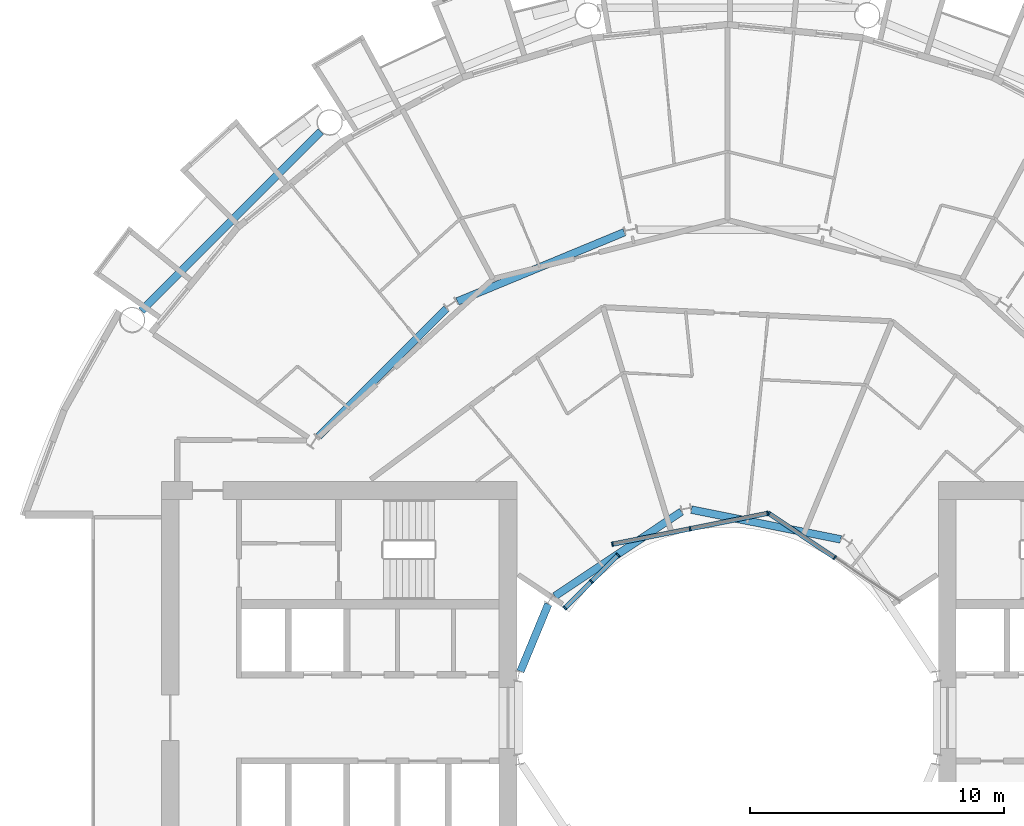
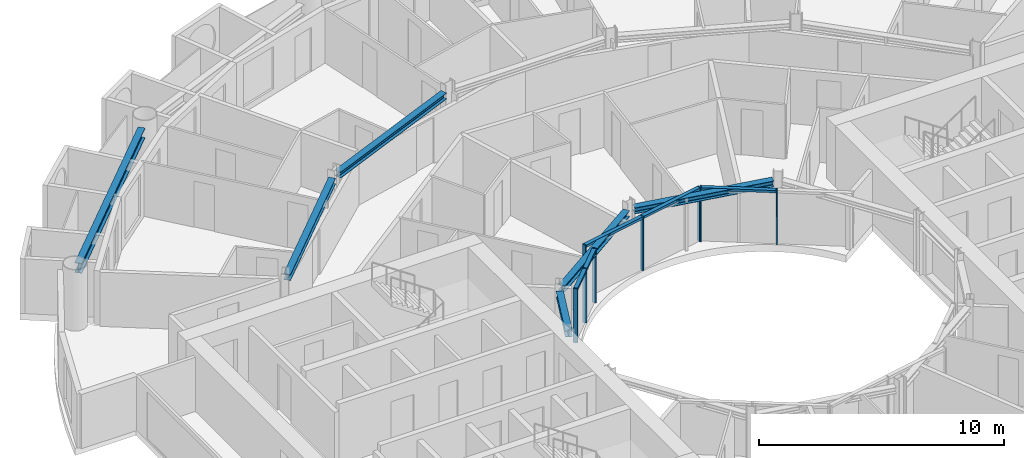
# One storey, part 7 of 26: 13 members, 6 beams, 3 elements without a shape of their own.
"""IFC4 building model written with IfcOpenShell, lengths in metres."""

from ifc_helpers import new_model, si_unit, direction, frame, origin, origin_2d, place, context, subcontext, project, spatial, rectangle, i_section, extrude, material, layer, layer_set, material_profile, profile_set, type_object, element, aggregate, save


model = new_model("IFC4")

# Units and contexts
model_context = context("Model", 3, precision=1e-05, world=origin(), true_north=direction((0.0, 1.0)))
body_context = subcontext(model_context, "Body", "Model", "MODEL_VIEW")
ifc_project = project(units=[si_unit("LENGTHUNIT", "METRE"), si_unit("AREAUNIT", "SQUARE_METRE"), si_unit("VOLUMEUNIT", "CUBIC_METRE"), si_unit("PLANEANGLEUNIT", "RADIAN"), si_unit("MASSUNIT", "GRAM", prefix="KILO")], contexts=[model_context])

# Site, building, storey
site_placement = place(None, origin())
site = spatial("IfcSite", under=ifc_project, at=site_placement, CompositionType="ELEMENT")
building_placement = place(site_placement, origin())
building = spatial("IfcBuilding", under=site, at=building_placement, Name="Maasbend Ring Residences", CompositionType="ELEMENT")
storey_placement = place(building_placement, frame((0.0, 0.0, 84.949951171875)))
storey = spatial("IfcBuildingStorey", under=building, at=storey_placement, Name="L24", CompositionType="ELEMENT", Elevation=84.949951171875)

# Curtain wall, members
ifc_material_1 = material(Name="Aluminium and clear glass", Category="aluminium")
ifc_layer = layer(ifc_material_1, 0.179931640625)
ifc_layer_set = layer_set([ifc_layer], Name="CW-W")
curtain_wall_type = type_object("IfcCurtainWallType", Name="CW-W", PredefinedType="NOTDEFINED", material=ifc_layer_set)
curtain_wall_1_placement = place(storey_placement, origin())
curtain_wall_1 = element("IfcCurtainWall", 1, at=curtain_wall_1_placement, inside=storey, type_object=curtain_wall_type, Name="Well curtain wall N1", PredefinedType="NOTDEFINED")
ifc_material_2 = material(Name="Aluminium 6063-T6", Category="aluminium")
ifc_material_profile_1 = material_profile(ifc_material_2, rectangle(XDim=0.179931640625, YDim=0.06005859375, at=origin_2d()), Name="AL 180x60")
ifc_profile_set_1 = profile_set([ifc_material_profile_1], Name="Aluminium 6063-T6")
member_type_1 = type_object("IfcMemberType", Name="CWM-W", PredefinedType="MULLION", material=ifc_profile_set_1)
member_1_placement = place(storey_placement, frame((4.216796875, 6.310791015625, 0.0), z_axis=(0.0, 0.0, 1.0), x_axis=(-0.55557023302, -0.831469612303, 0.0)))
member_1 = element("IfcMember", 2, at=member_1_placement, type_object=member_type_1, Name="Mullion well face", PredefinedType="MULLION", context=body_context, shape_type="SweptSolid", body=[
    extrude(rectangle(XDim=0.179931640625, YDim=0.06005859375, at=origin_2d()), origin(), (0.0, 0.0, 1.0), 2.699951171875),
])
member_2_placement = place(storey_placement, frame((1.627685546875, 8.040771484375, 0.0), z_axis=(0.0, 0.0, 1.0), x_axis=(-0.55557023302, -0.831469612303, 0.0)))
member_2 = element("IfcMember", 3, at=member_2_placement, type_object=member_type_1, Name="Mullion well face", PredefinedType="MULLION", context=body_context, shape_type="SweptSolid", body=[
    extrude(rectangle(XDim=0.179931640625, YDim=0.06005859375, at=origin_2d()), origin(), (0.0, 0.0, 1.0), 2.699951171875),
])

curtain_wall_2_placement = place(storey_placement, origin())
curtain_wall_2 = element("IfcCurtainWall", 4, at=curtain_wall_2_placement, inside=storey, type_object=curtain_wall_type, Name="Well curtain wall N2", PredefinedType="NOTDEFINED")
member_3_placement = place(storey_placement, frame((1.5732421875, 8.0517578125, 0.0), z_axis=(0.0, 0.0, 1.0), x_axis=(0.195090322016, -0.980785280403, 0.0)))
member_3 = element("IfcMember", 5, at=member_3_placement, type_object=member_type_1, Name="Mullion well face", PredefinedType="MULLION", context=body_context, shape_type="SweptSolid", body=[
    extrude(rectangle(XDim=0.179931640625, YDim=0.06005859375, at=origin_2d()), origin(), (0.0, 0.0, 1.0), 2.699951171875),
])
member_4_placement = place(storey_placement, frame((-1.480712890625, 7.444091796875, 0.0), z_axis=(0.0, 0.0, 1.0), x_axis=(0.195090322016, -0.980785280403, 0.0)))
member_4 = element("IfcMember", 6, at=member_4_placement, type_object=member_type_1, Name="Mullion well face", PredefinedType="MULLION", context=body_context, shape_type="SweptSolid", body=[
    extrude(rectangle(XDim=0.179931640625, YDim=0.06005859375, at=origin_2d()), origin(), (0.0, 0.0, 1.0), 2.699951171875),
])
member_5_placement = place(storey_placement, frame((-4.53466796875, 6.836669921875, 0.0), z_axis=(0.0, 0.0, 1.0), x_axis=(0.195090322016, -0.980785280403, 0.0)))
member_5 = element("IfcMember", 7, at=member_5_placement, type_object=member_type_1, Name="Mullion well face", PredefinedType="MULLION", context=body_context, shape_type="SweptSolid", body=[
    extrude(rectangle(XDim=0.179931640625, YDim=0.06005859375, at=origin_2d()), origin(), (0.0, 0.0, 1.0), 2.699951171875),
])

curtain_wall_3_placement = place(storey_placement, origin())
curtain_wall_3 = element("IfcCurtainWall", 8, at=curtain_wall_3_placement, inside=storey, type_object=curtain_wall_type, Name="Well curtain wall N3", PredefinedType="NOTDEFINED")
member_6_placement = place(storey_placement, frame((-4.320556640625, 6.413330078125, 0.0), z_axis=(0.0, 0.0, 1.0), x_axis=(0.707106781187, -0.707106781187, 0.0)))
member_6 = element("IfcMember", 9, at=member_6_placement, type_object=member_type_1, Name="Mullion well face", PredefinedType="MULLION", context=body_context, shape_type="SweptSolid", body=[
    extrude(rectangle(XDim=0.179931640625, YDim=0.06005859375, at=origin_2d()), origin(), (0.0, 0.0, 1.0), 2.699951171875),
])
member_7_placement = place(storey_placement, frame((-5.366943359375, 5.366943359375, 0.0), z_axis=(0.0, 0.0, 1.0), x_axis=(0.707106781187, -0.707106781187, 0.0)))
member_7 = element("IfcMember", 10, at=member_7_placement, type_object=member_type_1, Name="Mullion well face", PredefinedType="MULLION", context=body_context, shape_type="SweptSolid", body=[
    extrude(rectangle(XDim=0.179931640625, YDim=0.06005859375, at=origin_2d()), origin(), (0.0, 0.0, 1.0), 2.699951171875),
])
member_8_placement = place(storey_placement, frame((-6.413330078125, 4.320556640625, 0.0), z_axis=(0.0, 0.0, 1.0), x_axis=(0.707106781187, -0.707106781187, 0.0)))
member_8 = element("IfcMember", 11, at=member_8_placement, type_object=member_type_1, Name="Mullion well face", PredefinedType="MULLION", context=body_context, shape_type="SweptSolid", body=[
    extrude(rectangle(XDim=0.179931640625, YDim=0.06005859375, at=origin_2d()), origin(), (0.0, 0.0, 1.0), 2.699951171875),
])

# Member
ifc_material_3 = material(Name="Aluminium 6063-T6", Category="aluminium")
ifc_material_profile_2 = material_profile(ifc_material_3, rectangle(XDim=0.179931640625, YDim=0.1201171875, at=origin_2d()), Name="AL 180x120")
ifc_profile_set_2 = profile_set([ifc_material_profile_2], Name="Aluminium 6063-T6")
member_type_2 = type_object("IfcMemberType", Name="CWT-W", PredefinedType="USERDEFINED", material=ifc_profile_set_2)
member_9_placement = place(storey_placement, frame((4.19189453125, 6.32763671875, 2.64013671875), z_axis=(-0.831496422459, 0.555530106689, 0.0), x_axis=(-0.555530106689, -0.831496422459, 0.0)))
member_9 = element("IfcMember", 12, at=member_9_placement, type_object=member_type_2, Name="Transom well face", ObjectType="TRANSOM", PredefinedType="USERDEFINED", context=body_context, shape_type="SweptSolid", body=[
    extrude(rectangle(XDim=0.179931640625, YDim=0.1201171875, at=origin_2d()), origin(), (0.0, 0.0, 1.0), 3.053955078125),
])

aggregate(curtain_wall_1, [member_1, member_2, member_9])

member_10_placement = place(storey_placement, frame((1.5439453125, 8.0458984375, 2.64013671875), z_axis=(-0.980776956105, -0.195132166424, 0.0), x_axis=(0.195132166424, -0.980776956105, 0.0)))
member_10 = element("IfcMember", 13, at=member_10_placement, type_object=member_type_2, Name="Transom well face", ObjectType="TRANSOM", PredefinedType="USERDEFINED", context=body_context, shape_type="SweptSolid", body=[
    extrude(rectangle(XDim=0.179931640625, YDim=0.1201171875, at=origin_2d()), origin(), (0.0, 0.0, 1.0), 3.053955078125),
])

member_11_placement = place(storey_placement, frame((-1.51025390625, 7.438232421875, 2.64013671875), z_axis=(-0.980789210404, -0.19507056353, 0.0), x_axis=(0.19507056353, -0.980789210404, 0.0)))
member_11 = element("IfcMember", 14, at=member_11_placement, type_object=member_type_2, Name="Transom well face", ObjectType="TRANSOM", PredefinedType="USERDEFINED", context=body_context, shape_type="SweptSolid", body=[
    extrude(rectangle(XDim=0.179931640625, YDim=0.1201171875, at=origin_2d()), origin(), (0.0, 0.0, 1.0), 3.0537109375),
])

aggregate(curtain_wall_2, [member_3, member_4, member_5, member_10, member_11])

member_12_placement = place(storey_placement, frame((-4.341796875, 6.39208984375, 2.64013671875), z_axis=(-0.707106781187, -0.707106781187, 0.0), x_axis=(0.707106781187, -0.707106781187, 0.0)))
member_12 = element("IfcMember", 15, at=member_12_placement, type_object=member_type_2, Name="Transom well face", ObjectType="TRANSOM", PredefinedType="USERDEFINED", context=body_context, shape_type="SweptSolid", body=[
    extrude(rectangle(XDim=0.179931640625, YDim=0.1201171875, at=origin_2d()), origin(), (0.0, 0.0, 1.0), 1.419677734375),
])

member_13_placement = place(storey_placement, frame((-5.38818359375, 5.345703125, 2.64013671875), z_axis=(-0.707106781187, -0.707106781187, 0.0), x_axis=(0.707106781187, -0.707106781187, 0.0)))
member_13 = element("IfcMember", 16, at=member_13_placement, type_object=member_type_2, Name="Transom well face", ObjectType="TRANSOM", PredefinedType="USERDEFINED", context=body_context, shape_type="SweptSolid", body=[
    extrude(rectangle(XDim=0.179931640625, YDim=0.1201171875, at=origin_2d()), origin(), (0.0, 0.0, 1.0), 1.419677734375),
])

aggregate(curtain_wall_3, [member_6, member_7, member_8, member_12, member_13])

# Beams
ifc_material_4 = material(Name="Steel S355J2", Category="steel")
ifc_material_profile_3 = material_profile(ifc_material_4, i_section(OverallWidth=0.300048828125, OverallDepth=0.300048828125, WebThickness=0.010986328125, FlangeThickness=0.01904296875, FilletRadius=0.027099609375, at=origin_2d()), Name="HEB 300")
ifc_profile_set_3 = profile_set([ifc_material_profile_3], Name="Steel S355J2")
beam_type_1 = type_object("IfcBeamType", Name="Corridor ring beam HEB 300", PredefinedType="BEAM", material=ifc_profile_set_3)
for number, where, z_axis, x_axis, name in (
    (17, (-4.070556640625, 19.12109375, 2.550048828125), (-0.923877113721, -0.382689271788, 0.0), (0.382689271788, -0.923877113721, 0.0), "Corridor ring beam"),
    (18, (-11.078125, 16.10791015625, 2.550048828125), (-0.707106781187, -0.707106781187, 0.0), (0.707106781187, -0.707106781187, 0.0), "Corridor ring beam"),
):
    element("IfcBeam", number, at=place(storey_placement, frame(where, z_axis=z_axis, x_axis=x_axis)), inside=storey, type_object=beam_type_1, Name=name, PredefinedType="BEAM", context=body_context, shape_type="SweptSolid", body=[
        extrude(i_section(OverallWidth=0.300048828125, OverallDepth=0.300048828125, WebThickness=0.010986328125, FlangeThickness=0.01904296875, FilletRadius=0.027099609375, at=origin_2d()), origin(), (0.0, 0.0, 1.0), 7.11328125),
    ])
ifc_material_5 = material(Name="Steel S355J2", Category="steel")
ifc_material_profile_4 = material_profile(ifc_material_5, i_section(OverallWidth=0.300048828125, OverallDepth=0.5, WebThickness=0.014404296875, FlangeThickness=0.028076171875, FilletRadius=0.027099609375, at=origin_2d()), Name="HEB 500")
ifc_profile_set_4 = profile_set([ifc_material_profile_4], Name="Steel S355J2")
beam_type_2 = type_object("IfcBeamType", Name="Spandrel ring beam HEB 500", PredefinedType="SPANDREL", material=ifc_profile_set_4)
beam_1_placement = place(storey_placement, frame((-16.0263671875, 23.088134765625, 2.449951171875), z_axis=(-0.707106781187, -0.707106781187, 0.0), x_axis=(0.707106781187, -0.707106781187, 0.0)))
element("IfcBeam", 19, at=beam_1_placement, inside=storey, type_object=beam_type_2, Name="Spandrel ring beam", PredefinedType="SPANDREL", context=body_context, shape_type="SweptSolid", body=[
    extrude(i_section(OverallWidth=0.300048828125, OverallDepth=0.5, WebThickness=0.014404296875, FlangeThickness=0.028076171875, FilletRadius=0.027099609375, at=origin_2d()), origin(), (0.0, 0.0, 1.0), 9.98681640625),
])
ifc_material_6 = material(Name="Steel S355J2", Category="steel")
ifc_material_profile_5 = material_profile(ifc_material_6, i_section(OverallWidth=0.300048828125, OverallDepth=0.300048828125, WebThickness=0.010986328125, FlangeThickness=0.01904296875, FilletRadius=0.027099609375, at=origin_2d()), Name="HEB 300")
ifc_profile_set_5 = profile_set([ifc_material_profile_5], Name="Steel S355J2")
beam_type_3 = type_object("IfcBeamType", Name="Well edge beam HEB 300", PredefinedType="BEAM", material=ifc_profile_set_5)
beam_2_placement = place(storey_placement, frame((4.45458984375, 7.026611328125, 2.550048828125), z_axis=(-0.980789954577, 0.195066821885, 0.0), x_axis=(-0.195066821885, -0.980789954577, 0.0)))
element("IfcBeam", 20, at=beam_2_placement, inside=storey, type_object=beam_type_3, Name="Well edge beam", PredefinedType="BEAM", context=body_context, shape_type="SweptSolid", body=[
    extrude(i_section(OverallWidth=0.300048828125, OverallDepth=0.300048828125, WebThickness=0.010986328125, FlangeThickness=0.01904296875, FilletRadius=0.027099609375, at=origin_2d()), origin(), (0.0, 0.0, 1.0), 5.996337890625),
])
beam_3_placement = place(storey_placement, frame((-1.81884765625, 8.118408203125, 2.550048828125), z_axis=(-0.83145471117, -0.555592533493, 0.0), x_axis=(0.555592533493, -0.83145471117, 0.0)))
element("IfcBeam", 21, at=beam_3_placement, inside=storey, type_object=beam_type_3, Name="Well edge beam", PredefinedType="BEAM", context=body_context, shape_type="SweptSolid", body=[
    extrude(i_section(OverallWidth=0.300048828125, OverallDepth=0.300048828125, WebThickness=0.010986328125, FlangeThickness=0.01904296875, FilletRadius=0.027099609375, at=origin_2d()), origin(), (0.0, 0.0, 1.0), 5.995849609375),
])
beam_4_placement = place(storey_placement, frame((-7.062255859375, 4.478515625, 2.550048828125), z_axis=(-0.382729955172, -0.923860260761, 0.0), x_axis=(0.923860260761, -0.382729955172, 0.0)))
element("IfcBeam", 22, at=beam_4_placement, inside=storey, type_object=beam_type_3, Name="Well edge beam", PredefinedType="BEAM", context=body_context, shape_type="SweptSolid", body=[
    extrude(i_section(OverallWidth=0.300048828125, OverallDepth=0.300048828125, WebThickness=0.010986328125, FlangeThickness=0.01904296875, FilletRadius=0.027099609375, at=origin_2d()), origin(), (0.0, 0.0, 1.0), 2.869873046875),
])

save(model, "model.ifc")
